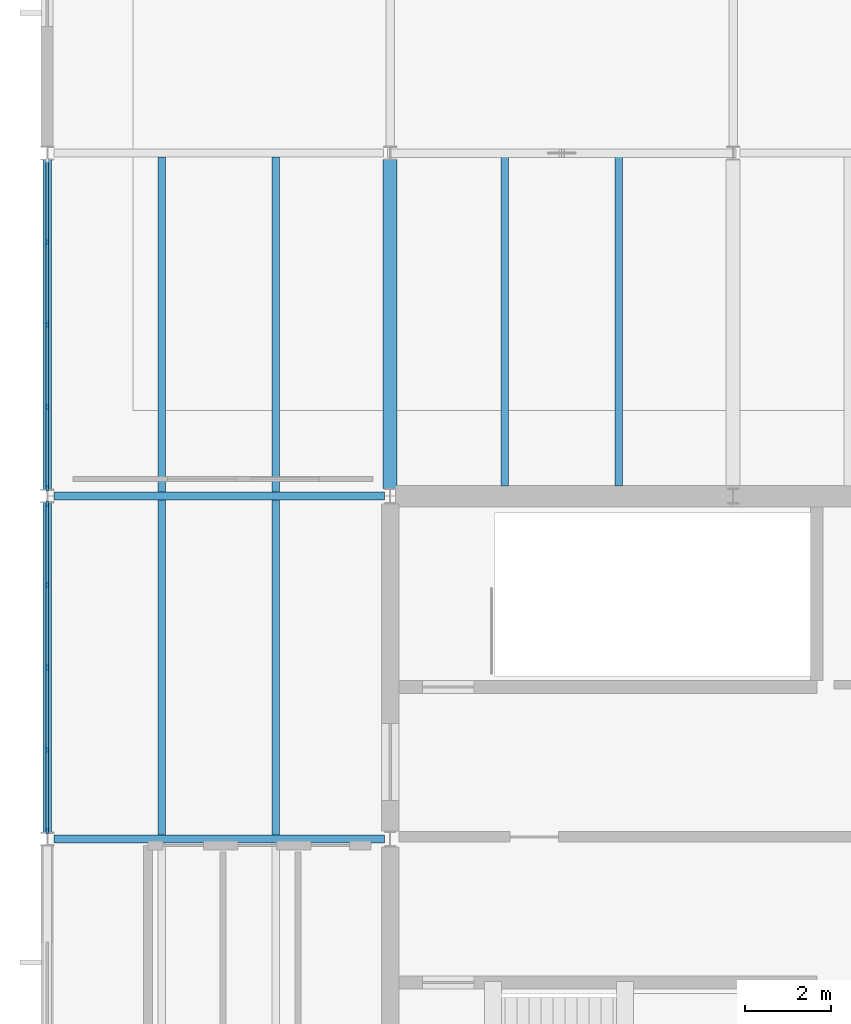
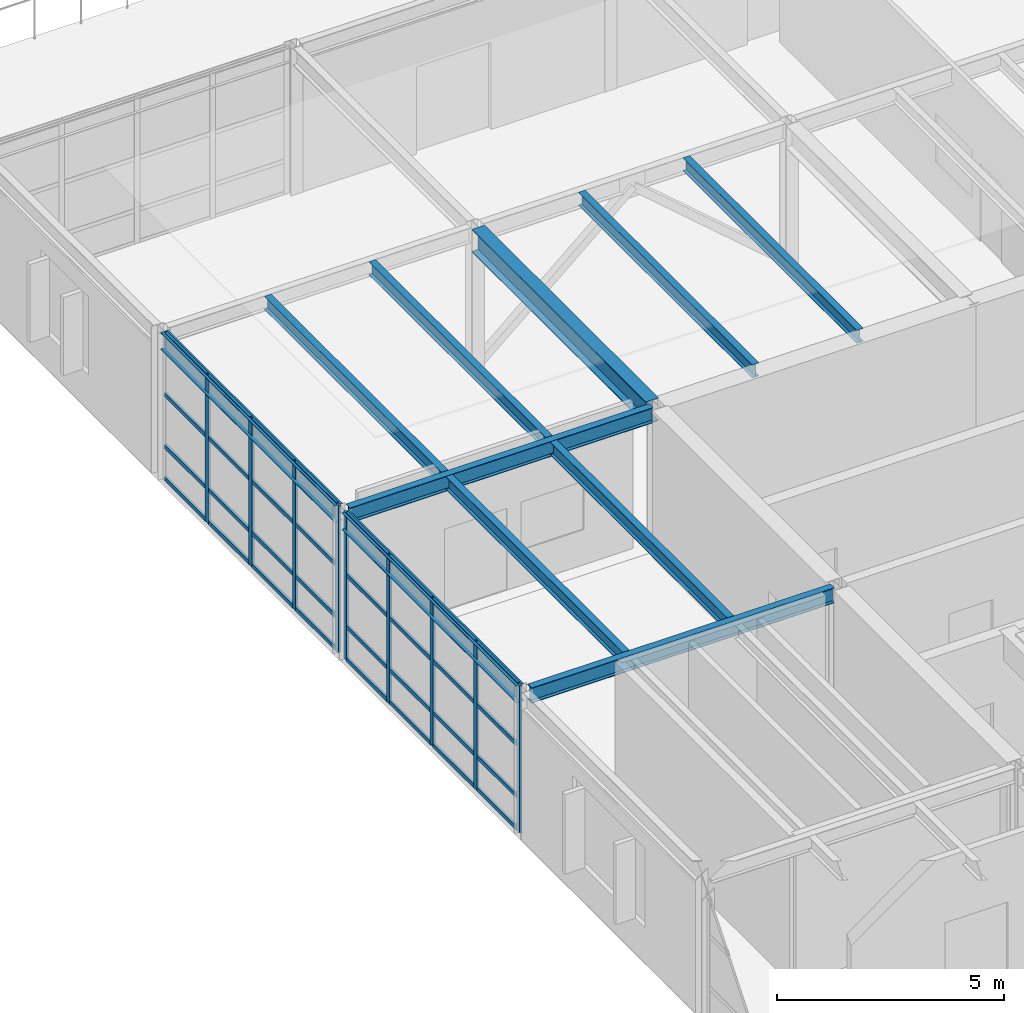
# One storey, part 5 of 15: 41 members, 11 beams, 2 elements without a shape of their own.
"""IFC4 building model written with IfcOpenShell, lengths in metres."""

from ifc_helpers import new_model, si_unit, direction, frame, origin, origin_2d, place, context, subcontext, project, spatial, rectangle, i_section, extrude, material, layer, layer_set, material_profile, profile_set, type_object, element, aggregate, save


model = new_model("IFC4")

# Units and contexts
model_context = context("Model", 3, precision=1e-05, world=origin(), true_north=direction((0.0, 1.0)))
body_context = subcontext(model_context, "Body", "Model", "MODEL_VIEW")
ifc_project = project(units=[si_unit("LENGTHUNIT", "METRE"), si_unit("AREAUNIT", "SQUARE_METRE"), si_unit("VOLUMEUNIT", "CUBIC_METRE"), si_unit("PLANEANGLEUNIT", "RADIAN"), si_unit("MASSUNIT", "GRAM", prefix="KILO")], contexts=[model_context])

# Site, building, storey
site_placement = place(None, origin())
site = spatial("IfcSite", under=ifc_project, at=site_placement, CompositionType="ELEMENT")
building_placement = place(site_placement, origin())
building = spatial("IfcBuilding", under=site, at=building_placement, Name="Varnela Railside Interchange", CompositionType="ELEMENT")
storey_placement = place(building_placement, frame((0.0, 0.0, 32.199951171875)))
storey = spatial("IfcBuildingStorey", under=building, at=storey_placement, Name="L07", CompositionType="ELEMENT", Elevation=32.199951171875)

# Beam
ifc_material_1 = material(Name="Steel AR 350 (350 MPa)", Category="steel")
ifc_material_profile_1 = material_profile(ifc_material_1, i_section(OverallWidth=0.324951171875, OverallDepth=0.615966796875, WebThickness=0.013916015625, FlangeThickness=0.021484375, at=origin_2d()), Name="W610x174")
ifc_profile_set_1 = profile_set([ifc_material_profile_1], Name="Steel AR 350 (350 MPa)")
beam_type_1 = type_object("IfcBeamType", Name="Core Tie Steel Girder B-13", PredefinedType="BEAM", material=ifc_profile_set_1)
beam_placement = place(storey_placement, frame((12.0, 70.181396484375, 3.652099609375), z_axis=(0.0, 1.0, 0.0), x_axis=(-1.0, 0.0, 0.0)))
element("IfcBeam", 1, at=beam_placement, inside=storey, type_object=beam_type_1, Name="Core Tie Steel Girder B-13 (L07) (BM-2767)", PredefinedType="BEAM", context=body_context, shape_type="SweptSolid", body=[
    extrude(i_section(OverallWidth=0.324951171875, OverallDepth=0.615966796875, WebThickness=0.013916015625, FlangeThickness=0.021484375, at=origin_2d()), origin(), (0.0, 0.0, 1.0), 7.66455078125),
])

# Curtain wall, members
ifc_material_2 = material(Name="Aluminium 6063-T6", Category="aluminium")
ifc_layer = layer(ifc_material_2, 0.035888671875)
ifc_layer_set = layer_set([ifc_layer], Name="Aluminium 6063-T6")
curtain_wall_type = type_object("IfcCurtainWallType", Name="Operations Wing Facade Curtain Wall CW-03", PredefinedType="USERDEFINED", material=ifc_layer_set)
curtain_wall_1_placement = place(storey_placement, origin())
curtain_wall_1 = element("IfcCurtainWall", 2, at=curtain_wall_1_placement, inside=storey, type_object=curtain_wall_type, Name="Curtain Wall CW-03 (L07) (CW-157)", ObjectType="CURTAIN WALL", PredefinedType="USERDEFINED")
ifc_material_profile_2 = material_profile(ifc_material_2, rectangle(XDim=0.06005859375, YDim=0.139892578125, at=origin_2d()), Name="ALU 60x140")
ifc_profile_set_2 = profile_set([ifc_material_profile_2], Name="Aluminium 6063-T6")
member_type_1 = type_object("IfcMemberType", Name="Curtain Wall Mullion ML-01", PredefinedType="MULLION", material=ifc_profile_set_2)
member_1_placement = place(storey_placement, frame((4.0, 62.18408203125, 0.0), z_axis=(0.0, 0.0, 1.0), x_axis=(-1.0, 0.0, 0.0)))
member_1 = element("IfcMember", 3, at=member_1_placement, type_object=member_type_1, Name="CW-03 mullion 1", PredefinedType="MULLION", context=body_context, shape_type="SweptSolid", body=[
    extrude(rectangle(XDim=0.06005859375, YDim=0.139892578125, at=origin_2d()), origin(), (0.0, 0.0, 1.0), 3.9599609375),
])
member_2_placement = place(storey_placement, frame((4.0, 64.076904296875, 0.0), z_axis=(0.0, 0.0, 1.0), x_axis=(-1.0, 0.0, 0.0)))
member_2 = element("IfcMember", 4, at=member_2_placement, type_object=member_type_1, Name="CW-03 mullion 2", PredefinedType="MULLION", context=body_context, shape_type="SweptSolid", body=[
    extrude(rectangle(XDim=0.06005859375, YDim=0.139892578125, at=origin_2d()), origin(), (0.0, 0.0, 1.0), 3.9599609375),
])
member_3_placement = place(storey_placement, frame((4.0, 66.0, 0.0), z_axis=(0.0, 0.0, 1.0), x_axis=(-1.0, 0.0, 0.0)))
member_3 = element("IfcMember", 5, at=member_3_placement, type_object=member_type_1, Name="CW-03 mullion 3", PredefinedType="MULLION", context=body_context, shape_type="SweptSolid", body=[
    extrude(rectangle(XDim=0.06005859375, YDim=0.139892578125, at=origin_2d()), origin(), (0.0, 0.0, 1.0), 3.9599609375),
])
member_4_placement = place(storey_placement, frame((4.0, 67.923095703125, 0.0), z_axis=(0.0, 0.0, 1.0), x_axis=(-1.0, 0.0, 0.0)))
member_4 = element("IfcMember", 6, at=member_4_placement, type_object=member_type_1, Name="CW-03 mullion 4", PredefinedType="MULLION", context=body_context, shape_type="SweptSolid", body=[
    extrude(rectangle(XDim=0.06005859375, YDim=0.139892578125, at=origin_2d()), origin(), (0.0, 0.0, 1.0), 3.9599609375),
])
member_5_placement = place(storey_placement, frame((4.0, 69.81591796875, 0.0), z_axis=(0.0, 0.0, 1.0), x_axis=(-1.0, 0.0, 0.0)))
member_5 = element("IfcMember", 7, at=member_5_placement, type_object=member_type_1, Name="CW-03 mullion 5", PredefinedType="MULLION", context=body_context, shape_type="SweptSolid", body=[
    extrude(rectangle(XDim=0.06005859375, YDim=0.139892578125, at=origin_2d()), origin(), (0.0, 0.0, 1.0), 3.9599609375),
])

curtain_wall_2_placement = place(storey_placement, origin())
curtain_wall_2 = element("IfcCurtainWall", 8, at=curtain_wall_2_placement, inside=storey, type_object=curtain_wall_type, Name="Curtain Wall CW-03 (L07) (CW-158)", ObjectType="CURTAIN WALL", PredefinedType="USERDEFINED")
member_6_placement = place(storey_placement, frame((4.0, 70.18408203125, 0.0), z_axis=(0.0, 0.0, 1.0), x_axis=(-1.0, 0.0, 0.0)))
member_6 = element("IfcMember", 9, at=member_6_placement, type_object=member_type_1, Name="CW-03 mullion 1", PredefinedType="MULLION", context=body_context, shape_type="SweptSolid", body=[
    extrude(rectangle(XDim=0.06005859375, YDim=0.139892578125, at=origin_2d()), origin(), (0.0, 0.0, 1.0), 3.9599609375),
])
member_7_placement = place(storey_placement, frame((4.0, 72.076904296875, 0.0), z_axis=(0.0, 0.0, 1.0), x_axis=(-1.0, 0.0, 0.0)))
member_7 = element("IfcMember", 10, at=member_7_placement, type_object=member_type_1, Name="CW-03 mullion 2", PredefinedType="MULLION", context=body_context, shape_type="SweptSolid", body=[
    extrude(rectangle(XDim=0.06005859375, YDim=0.139892578125, at=origin_2d()), origin(), (0.0, 0.0, 1.0), 3.9599609375),
])
member_8_placement = place(storey_placement, frame((4.0, 74.0, 0.0), z_axis=(0.0, 0.0, 1.0), x_axis=(-1.0, 0.0, 0.0)))
member_8 = element("IfcMember", 11, at=member_8_placement, type_object=member_type_1, Name="CW-03 mullion 3", PredefinedType="MULLION", context=body_context, shape_type="SweptSolid", body=[
    extrude(rectangle(XDim=0.06005859375, YDim=0.139892578125, at=origin_2d()), origin(), (0.0, 0.0, 1.0), 3.9599609375),
])
member_9_placement = place(storey_placement, frame((4.0, 75.923095703125, 0.0), z_axis=(0.0, 0.0, 1.0), x_axis=(-1.0, 0.0, 0.0)))
member_9 = element("IfcMember", 12, at=member_9_placement, type_object=member_type_1, Name="CW-03 mullion 4", PredefinedType="MULLION", context=body_context, shape_type="SweptSolid", body=[
    extrude(rectangle(XDim=0.06005859375, YDim=0.139892578125, at=origin_2d()), origin(), (0.0, 0.0, 1.0), 3.9599609375),
])

# Member
ifc_material_profile_3 = material_profile(ifc_material_2, rectangle(XDim=0.06005859375, YDim=0.110107421875, at=origin_2d()), Name="ALU 60x110")
ifc_profile_set_3 = profile_set([ifc_material_profile_3], Name="Aluminium 6063-T6")
member_type_2 = type_object("IfcMemberType", Name="Curtain Wall Transom TR-01", PredefinedType="USERDEFINED", material=ifc_profile_set_3)
member_10_placement = place(storey_placement, frame((4.0, 62.214111328125, 0.030029296875), z_axis=(0.0, 1.0, 0.0), x_axis=(-1.0, 0.0, 0.0)))
member_10 = element("IfcMember", 13, at=member_10_placement, type_object=member_type_2, Name="CW-03 transom 1.1", ObjectType="TRANSOM", PredefinedType="USERDEFINED", context=body_context, shape_type="SweptSolid", body=[
    extrude(rectangle(XDim=0.06005859375, YDim=0.110107421875, at=origin_2d()), origin(), (0.0, 0.0, 1.0), 1.8330078125),
])

member_11_placement = place(storey_placement, frame((4.0, 62.214111328125, 0.900146484375), z_axis=(0.0, 1.0, 0.0), x_axis=(-1.0, 0.0, 0.0)))
member_11 = element("IfcMember", 14, at=member_11_placement, type_object=member_type_2, Name="CW-03 transom 1.2", ObjectType="TRANSOM", PredefinedType="USERDEFINED", context=body_context, shape_type="SweptSolid", body=[
    extrude(rectangle(XDim=0.06005859375, YDim=0.110107421875, at=origin_2d()), origin(), (0.0, 0.0, 1.0), 1.8330078125),
])

member_12_placement = place(storey_placement, frame((4.0, 62.214111328125, 2.296875), z_axis=(0.0, 1.0, 0.0), x_axis=(-1.0, 0.0, 0.0)))
member_12 = element("IfcMember", 15, at=member_12_placement, type_object=member_type_2, Name="CW-03 transom 1.3", ObjectType="TRANSOM", PredefinedType="USERDEFINED", context=body_context, shape_type="SweptSolid", body=[
    extrude(rectangle(XDim=0.06005859375, YDim=0.110107421875, at=origin_2d()), origin(), (0.0, 0.0, 1.0), 1.8330078125),
])

member_13_placement = place(storey_placement, frame((4.0, 62.214111328125, 3.929931640625), z_axis=(0.0, 1.0, 0.0), x_axis=(-1.0, 0.0, 0.0)))
member_13 = element("IfcMember", 16, at=member_13_placement, type_object=member_type_2, Name="CW-03 transom 1.4", ObjectType="TRANSOM", PredefinedType="USERDEFINED", context=body_context, shape_type="SweptSolid", body=[
    extrude(rectangle(XDim=0.06005859375, YDim=0.110107421875, at=origin_2d()), origin(), (0.0, 0.0, 1.0), 1.8330078125),
])

member_14_placement = place(storey_placement, frame((4.0, 64.10693359375, 0.030029296875), z_axis=(0.0, 1.0, 0.0), x_axis=(-1.0, 0.0, 0.0)))
member_14 = element("IfcMember", 17, at=member_14_placement, type_object=member_type_2, Name="CW-03 transom 2.1", ObjectType="TRANSOM", PredefinedType="USERDEFINED", context=body_context, shape_type="SweptSolid", body=[
    extrude(rectangle(XDim=0.06005859375, YDim=0.110107421875, at=origin_2d()), origin(), (0.0, 0.0, 1.0), 1.863037109375),
])

member_15_placement = place(storey_placement, frame((4.0, 64.10693359375, 0.900146484375), z_axis=(0.0, 1.0, 0.0), x_axis=(-1.0, 0.0, 0.0)))
member_15 = element("IfcMember", 18, at=member_15_placement, type_object=member_type_2, Name="CW-03 transom 2.2", ObjectType="TRANSOM", PredefinedType="USERDEFINED", context=body_context, shape_type="SweptSolid", body=[
    extrude(rectangle(XDim=0.06005859375, YDim=0.110107421875, at=origin_2d()), origin(), (0.0, 0.0, 1.0), 1.863037109375),
])

member_16_placement = place(storey_placement, frame((4.0, 64.10693359375, 2.296875), z_axis=(0.0, 1.0, 0.0), x_axis=(-1.0, 0.0, 0.0)))
member_16 = element("IfcMember", 19, at=member_16_placement, type_object=member_type_2, Name="CW-03 transom 2.3", ObjectType="TRANSOM", PredefinedType="USERDEFINED", context=body_context, shape_type="SweptSolid", body=[
    extrude(rectangle(XDim=0.06005859375, YDim=0.110107421875, at=origin_2d()), origin(), (0.0, 0.0, 1.0), 1.863037109375),
])

member_17_placement = place(storey_placement, frame((4.0, 64.10693359375, 3.929931640625), z_axis=(0.0, 1.0, 0.0), x_axis=(-1.0, 0.0, 0.0)))
member_17 = element("IfcMember", 20, at=member_17_placement, type_object=member_type_2, Name="CW-03 transom 2.4", ObjectType="TRANSOM", PredefinedType="USERDEFINED", context=body_context, shape_type="SweptSolid", body=[
    extrude(rectangle(XDim=0.06005859375, YDim=0.110107421875, at=origin_2d()), origin(), (0.0, 0.0, 1.0), 1.863037109375),
])

member_18_placement = place(storey_placement, frame((4.0, 66.030029296875, 0.030029296875), z_axis=(0.0, 1.0, 0.0), x_axis=(-1.0, 0.0, 0.0)))
member_18 = element("IfcMember", 21, at=member_18_placement, type_object=member_type_2, Name="CW-03 transom 3.1", ObjectType="TRANSOM", PredefinedType="USERDEFINED", context=body_context, shape_type="SweptSolid", body=[
    extrude(rectangle(XDim=0.06005859375, YDim=0.110107421875, at=origin_2d()), origin(), (0.0, 0.0, 1.0), 1.863037109375),
])

member_19_placement = place(storey_placement, frame((4.0, 66.030029296875, 0.900146484375), z_axis=(0.0, 1.0, 0.0), x_axis=(-1.0, 0.0, 0.0)))
member_19 = element("IfcMember", 22, at=member_19_placement, type_object=member_type_2, Name="CW-03 transom 3.2", ObjectType="TRANSOM", PredefinedType="USERDEFINED", context=body_context, shape_type="SweptSolid", body=[
    extrude(rectangle(XDim=0.06005859375, YDim=0.110107421875, at=origin_2d()), origin(), (0.0, 0.0, 1.0), 1.863037109375),
])

member_20_placement = place(storey_placement, frame((4.0, 66.030029296875, 2.296875), z_axis=(0.0, 1.0, 0.0), x_axis=(-1.0, 0.0, 0.0)))
member_20 = element("IfcMember", 23, at=member_20_placement, type_object=member_type_2, Name="CW-03 transom 3.3", ObjectType="TRANSOM", PredefinedType="USERDEFINED", context=body_context, shape_type="SweptSolid", body=[
    extrude(rectangle(XDim=0.06005859375, YDim=0.110107421875, at=origin_2d()), origin(), (0.0, 0.0, 1.0), 1.863037109375),
])

member_21_placement = place(storey_placement, frame((4.0, 66.030029296875, 3.929931640625), z_axis=(0.0, 1.0, 0.0), x_axis=(-1.0, 0.0, 0.0)))
member_21 = element("IfcMember", 24, at=member_21_placement, type_object=member_type_2, Name="CW-03 transom 3.4", ObjectType="TRANSOM", PredefinedType="USERDEFINED", context=body_context, shape_type="SweptSolid", body=[
    extrude(rectangle(XDim=0.06005859375, YDim=0.110107421875, at=origin_2d()), origin(), (0.0, 0.0, 1.0), 1.863037109375),
])

member_22_placement = place(storey_placement, frame((4.0, 67.952880859375, 0.030029296875), z_axis=(0.0, 1.0, 0.0), x_axis=(-1.0, 0.0, 0.0)))
member_22 = element("IfcMember", 25, at=member_22_placement, type_object=member_type_2, Name="CW-03 transom 4.1", ObjectType="TRANSOM", PredefinedType="USERDEFINED", context=body_context, shape_type="SweptSolid", body=[
    extrude(rectangle(XDim=0.06005859375, YDim=0.110107421875, at=origin_2d()), origin(), (0.0, 0.0, 1.0), 1.8330078125),
])

member_23_placement = place(storey_placement, frame((4.0, 67.952880859375, 0.900146484375), z_axis=(0.0, 1.0, 0.0), x_axis=(-1.0, 0.0, 0.0)))
member_23 = element("IfcMember", 26, at=member_23_placement, type_object=member_type_2, Name="CW-03 transom 4.2", ObjectType="TRANSOM", PredefinedType="USERDEFINED", context=body_context, shape_type="SweptSolid", body=[
    extrude(rectangle(XDim=0.06005859375, YDim=0.110107421875, at=origin_2d()), origin(), (0.0, 0.0, 1.0), 1.8330078125),
])

member_24_placement = place(storey_placement, frame((4.0, 67.952880859375, 2.296875), z_axis=(0.0, 1.0, 0.0), x_axis=(-1.0, 0.0, 0.0)))
member_24 = element("IfcMember", 27, at=member_24_placement, type_object=member_type_2, Name="CW-03 transom 4.3", ObjectType="TRANSOM", PredefinedType="USERDEFINED", context=body_context, shape_type="SweptSolid", body=[
    extrude(rectangle(XDim=0.06005859375, YDim=0.110107421875, at=origin_2d()), origin(), (0.0, 0.0, 1.0), 1.8330078125),
])

member_25_placement = place(storey_placement, frame((4.0, 67.952880859375, 3.929931640625), z_axis=(0.0, 1.0, 0.0), x_axis=(-1.0, 0.0, 0.0)))
member_25 = element("IfcMember", 28, at=member_25_placement, type_object=member_type_2, Name="CW-03 transom 4.4", ObjectType="TRANSOM", PredefinedType="USERDEFINED", context=body_context, shape_type="SweptSolid", body=[
    extrude(rectangle(XDim=0.06005859375, YDim=0.110107421875, at=origin_2d()), origin(), (0.0, 0.0, 1.0), 1.8330078125),
])

aggregate(curtain_wall_1, [member_1, member_2, member_3, member_4, member_5, member_10, member_11, member_12, member_13, member_14, member_15, member_16, member_17, member_18, member_19, member_20, member_21, member_22, member_23, member_24, member_25])

member_26_placement = place(storey_placement, frame((4.0, 70.214111328125, 0.030029296875), z_axis=(0.0, 1.0, 0.0), x_axis=(-1.0, 0.0, 0.0)))
member_26 = element("IfcMember", 29, at=member_26_placement, type_object=member_type_2, Name="CW-03 transom 1.1", ObjectType="TRANSOM", PredefinedType="USERDEFINED", context=body_context, shape_type="SweptSolid", body=[
    extrude(rectangle(XDim=0.06005859375, YDim=0.110107421875, at=origin_2d()), origin(), (0.0, 0.0, 1.0), 1.8330078125),
])

member_27_placement = place(storey_placement, frame((4.0, 70.214111328125, 0.900146484375), z_axis=(0.0, 1.0, 0.0), x_axis=(-1.0, 0.0, 0.0)))
member_27 = element("IfcMember", 30, at=member_27_placement, type_object=member_type_2, Name="CW-03 transom 1.2", ObjectType="TRANSOM", PredefinedType="USERDEFINED", context=body_context, shape_type="SweptSolid", body=[
    extrude(rectangle(XDim=0.06005859375, YDim=0.110107421875, at=origin_2d()), origin(), (0.0, 0.0, 1.0), 1.8330078125),
])

member_28_placement = place(storey_placement, frame((4.0, 70.214111328125, 2.296875), z_axis=(0.0, 1.0, 0.0), x_axis=(-1.0, 0.0, 0.0)))
member_28 = element("IfcMember", 31, at=member_28_placement, type_object=member_type_2, Name="CW-03 transom 1.3", ObjectType="TRANSOM", PredefinedType="USERDEFINED", context=body_context, shape_type="SweptSolid", body=[
    extrude(rectangle(XDim=0.06005859375, YDim=0.110107421875, at=origin_2d()), origin(), (0.0, 0.0, 1.0), 1.8330078125),
])

member_29_placement = place(storey_placement, frame((4.0, 70.214111328125, 3.929931640625), z_axis=(0.0, 1.0, 0.0), x_axis=(-1.0, 0.0, 0.0)))
member_29 = element("IfcMember", 32, at=member_29_placement, type_object=member_type_2, Name="CW-03 transom 1.4", ObjectType="TRANSOM", PredefinedType="USERDEFINED", context=body_context, shape_type="SweptSolid", body=[
    extrude(rectangle(XDim=0.06005859375, YDim=0.110107421875, at=origin_2d()), origin(), (0.0, 0.0, 1.0), 1.8330078125),
])

member_30_placement = place(storey_placement, frame((4.0, 72.10693359375, 0.030029296875), z_axis=(0.0, 1.0, 0.0), x_axis=(-1.0, 0.0, 0.0)))
member_30 = element("IfcMember", 33, at=member_30_placement, type_object=member_type_2, Name="CW-03 transom 2.1", ObjectType="TRANSOM", PredefinedType="USERDEFINED", context=body_context, shape_type="SweptSolid", body=[
    extrude(rectangle(XDim=0.06005859375, YDim=0.110107421875, at=origin_2d()), origin(), (0.0, 0.0, 1.0), 1.863037109375),
])

member_31_placement = place(storey_placement, frame((4.0, 72.10693359375, 0.900146484375), z_axis=(0.0, 1.0, 0.0), x_axis=(-1.0, 0.0, 0.0)))
member_31 = element("IfcMember", 34, at=member_31_placement, type_object=member_type_2, Name="CW-03 transom 2.2", ObjectType="TRANSOM", PredefinedType="USERDEFINED", context=body_context, shape_type="SweptSolid", body=[
    extrude(rectangle(XDim=0.06005859375, YDim=0.110107421875, at=origin_2d()), origin(), (0.0, 0.0, 1.0), 1.863037109375),
])

member_32_placement = place(storey_placement, frame((4.0, 72.10693359375, 2.296875), z_axis=(0.0, 1.0, 0.0), x_axis=(-1.0, 0.0, 0.0)))
member_32 = element("IfcMember", 35, at=member_32_placement, type_object=member_type_2, Name="CW-03 transom 2.3", ObjectType="TRANSOM", PredefinedType="USERDEFINED", context=body_context, shape_type="SweptSolid", body=[
    extrude(rectangle(XDim=0.06005859375, YDim=0.110107421875, at=origin_2d()), origin(), (0.0, 0.0, 1.0), 1.863037109375),
])

member_33_placement = place(storey_placement, frame((4.0, 72.10693359375, 3.929931640625), z_axis=(0.0, 1.0, 0.0), x_axis=(-1.0, 0.0, 0.0)))
member_33 = element("IfcMember", 36, at=member_33_placement, type_object=member_type_2, Name="CW-03 transom 2.4", ObjectType="TRANSOM", PredefinedType="USERDEFINED", context=body_context, shape_type="SweptSolid", body=[
    extrude(rectangle(XDim=0.06005859375, YDim=0.110107421875, at=origin_2d()), origin(), (0.0, 0.0, 1.0), 1.863037109375),
])

member_34_placement = place(storey_placement, frame((4.0, 74.030029296875, 0.030029296875), z_axis=(0.0, 1.0, 0.0), x_axis=(-1.0, 0.0, 0.0)))
member_34 = element("IfcMember", 37, at=member_34_placement, type_object=member_type_2, Name="CW-03 transom 3.1", ObjectType="TRANSOM", PredefinedType="USERDEFINED", context=body_context, shape_type="SweptSolid", body=[
    extrude(rectangle(XDim=0.06005859375, YDim=0.110107421875, at=origin_2d()), origin(), (0.0, 0.0, 1.0), 1.863037109375),
])

member_35_placement = place(storey_placement, frame((4.0, 74.030029296875, 0.900146484375), z_axis=(0.0, 1.0, 0.0), x_axis=(-1.0, 0.0, 0.0)))
member_35 = element("IfcMember", 38, at=member_35_placement, type_object=member_type_2, Name="CW-03 transom 3.2", ObjectType="TRANSOM", PredefinedType="USERDEFINED", context=body_context, shape_type="SweptSolid", body=[
    extrude(rectangle(XDim=0.06005859375, YDim=0.110107421875, at=origin_2d()), origin(), (0.0, 0.0, 1.0), 1.863037109375),
])

member_36_placement = place(storey_placement, frame((4.0, 74.030029296875, 2.296875), z_axis=(0.0, 1.0, 0.0), x_axis=(-1.0, 0.0, 0.0)))
member_36 = element("IfcMember", 39, at=member_36_placement, type_object=member_type_2, Name="CW-03 transom 3.3", ObjectType="TRANSOM", PredefinedType="USERDEFINED", context=body_context, shape_type="SweptSolid", body=[
    extrude(rectangle(XDim=0.06005859375, YDim=0.110107421875, at=origin_2d()), origin(), (0.0, 0.0, 1.0), 1.863037109375),
])

member_37_placement = place(storey_placement, frame((4.0, 74.030029296875, 3.929931640625), z_axis=(0.0, 1.0, 0.0), x_axis=(-1.0, 0.0, 0.0)))
member_37 = element("IfcMember", 40, at=member_37_placement, type_object=member_type_2, Name="CW-03 transom 3.4", ObjectType="TRANSOM", PredefinedType="USERDEFINED", context=body_context, shape_type="SweptSolid", body=[
    extrude(rectangle(XDim=0.06005859375, YDim=0.110107421875, at=origin_2d()), origin(), (0.0, 0.0, 1.0), 1.863037109375),
])

member_38_placement = place(storey_placement, frame((4.0, 75.952880859375, 0.030029296875), z_axis=(0.0, 1.0, 0.0), x_axis=(-1.0, 0.0, 0.0)))
member_38 = element("IfcMember", 41, at=member_38_placement, type_object=member_type_2, Name="CW-03 transom 4.1", ObjectType="TRANSOM", PredefinedType="USERDEFINED", context=body_context, shape_type="SweptSolid", body=[
    extrude(rectangle(XDim=0.06005859375, YDim=0.110107421875, at=origin_2d()), origin(), (0.0, 0.0, 1.0), 1.8330078125),
])

member_39_placement = place(storey_placement, frame((4.0, 75.952880859375, 0.900146484375), z_axis=(0.0, 1.0, 0.0), x_axis=(-1.0, 0.0, 0.0)))
member_39 = element("IfcMember", 42, at=member_39_placement, type_object=member_type_2, Name="CW-03 transom 4.2", ObjectType="TRANSOM", PredefinedType="USERDEFINED", context=body_context, shape_type="SweptSolid", body=[
    extrude(rectangle(XDim=0.06005859375, YDim=0.110107421875, at=origin_2d()), origin(), (0.0, 0.0, 1.0), 1.8330078125),
])

member_40_placement = place(storey_placement, frame((4.0, 75.952880859375, 2.296875), z_axis=(0.0, 1.0, 0.0), x_axis=(-1.0, 0.0, 0.0)))
member_40 = element("IfcMember", 43, at=member_40_placement, type_object=member_type_2, Name="CW-03 transom 4.3", ObjectType="TRANSOM", PredefinedType="USERDEFINED", context=body_context, shape_type="SweptSolid", body=[
    extrude(rectangle(XDim=0.06005859375, YDim=0.110107421875, at=origin_2d()), origin(), (0.0, 0.0, 1.0), 1.8330078125),
])

member_41_placement = place(storey_placement, frame((4.0, 75.952880859375, 3.929931640625), z_axis=(0.0, 1.0, 0.0), x_axis=(-1.0, 0.0, 0.0)))
member_41 = element("IfcMember", 44, at=member_41_placement, type_object=member_type_2, Name="CW-03 transom 4.4", ObjectType="TRANSOM", PredefinedType="USERDEFINED", context=body_context, shape_type="SweptSolid", body=[
    extrude(rectangle(XDim=0.06005859375, YDim=0.110107421875, at=origin_2d()), origin(), (0.0, 0.0, 1.0), 1.8330078125),
])

aggregate(curtain_wall_2, [member_6, member_7, member_8, member_9, member_26, member_27, member_28, member_29, member_30, member_31, member_32, member_33, member_34, member_35, member_36, member_37, member_38, member_39, member_40, member_41])

# Beams
ifc_material_profile_4 = material_profile(ifc_material_1, i_section(OverallWidth=0.1708984375, OverallDepth=0.35498046875, WebThickness=0.007080078125, FlangeThickness=0.01171875, at=origin_2d()), Name="W360x51")
ifc_profile_set_4 = profile_set([ifc_material_profile_4], Name="Steel AR 350 (350 MPa)")
beam_type_2 = type_object("IfcBeamType", Name="Plant Floor Joist J-02", PredefinedType="JOIST", material=ifc_profile_set_4)
for number, where, z_axis, x_axis, name in (
    (45, (6.669921875, 62.094970703125, 3.782470703125), (0.0, 1.0, 0.0), (-1.0, 0.0, 0.0), "Plant Floor Joist J-02 (L07) (BM-2730)"),
    (46, (9.330078125, 62.094970703125, 3.782470703125), (0.0, 1.0, 0.0), (-1.0, 0.0, 0.0), "Plant Floor Joist J-02 (L07) (BM-2731)"),
    (47, (6.669921875, 70.094970703125, 3.782470703125), (0.0, 1.0, 0.0), (-1.0, 0.0, 0.0), "Plant Floor Joist J-02 (L07) (BM-2732)"),
    (48, (9.330078125, 70.094970703125, 3.782470703125), (0.0, 1.0, 0.0), (-1.0, 0.0, 0.0), "Plant Floor Joist J-02 (L07) (BM-2733)"),
):
    element("IfcBeam", number, at=place(storey_placement, frame(where, z_axis=z_axis, x_axis=x_axis)), inside=storey, type_object=beam_type_2, Name=name, PredefinedType="JOIST", context=body_context, shape_type="SweptSolid", body=[
        extrude(i_section(OverallWidth=0.1708984375, OverallDepth=0.35498046875, WebThickness=0.007080078125, FlangeThickness=0.01171875, at=origin_2d()), origin(), (0.0, 0.0, 1.0), 7.81005859375),
    ])
for number, where, z_axis, x_axis, name in (
    (49, (14.669921875, 70.239990234375, 3.782470703125), (0.0, 1.0, 0.0), (-1.0, 0.0, 0.0), "Plant Floor Joist J-02 (L07) (BM-2736)"),
    (50, (17.330078125, 70.239990234375, 3.782470703125), (0.0, 1.0, 0.0), (-1.0, 0.0, 0.0), "Plant Floor Joist J-02 (L07) (BM-2737)"),
):
    element("IfcBeam", number, at=place(storey_placement, frame(where, z_axis=z_axis, x_axis=x_axis)), inside=storey, type_object=beam_type_2, Name=name, PredefinedType="JOIST", context=body_context, shape_type="SweptSolid", body=[
        extrude(i_section(OverallWidth=0.1708984375, OverallDepth=0.35498046875, WebThickness=0.007080078125, FlangeThickness=0.01171875, at=origin_2d()), origin(), (0.0, 0.0, 1.0), 7.6650390625),
    ])
ifc_material_profile_5 = material_profile(ifc_material_1, i_section(OverallWidth=0.19091796875, OverallDepth=0.4599609375, WebThickness=0.010009765625, FlangeThickness=0.01611328125, at=origin_2d()), Name="W460x82")
ifc_profile_set_5 = profile_set([ifc_material_profile_5], Name="Steel AR 350 (350 MPa)")
beam_type_3 = type_object("IfcBeamType", Name="Steel Perimeter Spandrel SP-01", PredefinedType="SPANDREL", material=ifc_profile_set_5)
for number, where, z_axis, x_axis, name in (
    (51, (4.0, 62.154052734375, 3.72998046875), (0.0, 1.0, 0.0), (-1.0, 0.0, 0.0), "Steel Perimeter Spandrel SP-01 (L07) (BM-2763)"),
    (52, (4.0, 70.154052734375, 3.72998046875), (0.0, 1.0, 0.0), (-1.0, 0.0, 0.0), "Steel Perimeter Spandrel SP-01 (L07) (BM-2764)"),
):
    element("IfcBeam", number, at=place(storey_placement, frame(where, z_axis=z_axis, x_axis=x_axis)), inside=storey, type_object=beam_type_3, Name=name, PredefinedType="SPANDREL", context=body_context, shape_type="SweptSolid", body=[
        extrude(i_section(OverallWidth=0.19091796875, OverallDepth=0.4599609375, WebThickness=0.010009765625, FlangeThickness=0.01611328125, at=origin_2d()), origin(), (0.0, 0.0, 1.0), 7.69189453125),
    ])
ifc_material_profile_6 = material_profile(ifc_material_1, i_section(OverallWidth=0.178955078125, OverallDepth=0.409912109375, WebThickness=0.0087890625, FlangeThickness=0.014404296875, at=origin_2d()), Name="W410x67")
ifc_profile_set_6 = profile_set([ifc_material_profile_6], Name="Steel AR 350 (350 MPa)")
beam_type_4 = type_object("IfcBeamType", Name="Steel Terrace Spandrel SP-02", PredefinedType="SPANDREL", material=ifc_profile_set_6)
for number, where, z_axis, x_axis, name in (
    (53, (4.155029296875, 62.0, 3.755126953125), (1.0, 0.0, 0.0), (0.0, 1.0, 0.0), "Steel Terrace Spandrel SP-02 (L07) (BM-2751)"),
    (54, (4.155029296875, 70.0, 3.755126953125), (1.0, 0.0, 0.0), (0.0, 1.0, 0.0), "Steel Terrace Spandrel SP-02 (L07) (BM-2752)"),
):
    element("IfcBeam", number, at=place(storey_placement, frame(where, z_axis=z_axis, x_axis=x_axis)), inside=storey, type_object=beam_type_4, Name=name, PredefinedType="SPANDREL", context=body_context, shape_type="SweptSolid", body=[
        extrude(i_section(OverallWidth=0.178955078125, OverallDepth=0.409912109375, WebThickness=0.0087890625, FlangeThickness=0.014404296875, at=origin_2d()), origin(), (0.0, 0.0, 1.0), 7.716552734375),
    ])

save(model, "model.ifc")
